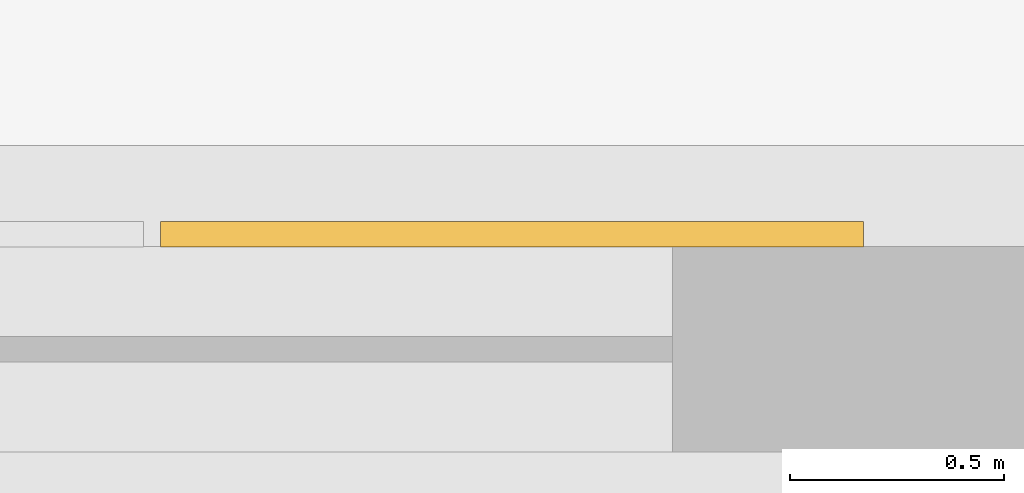
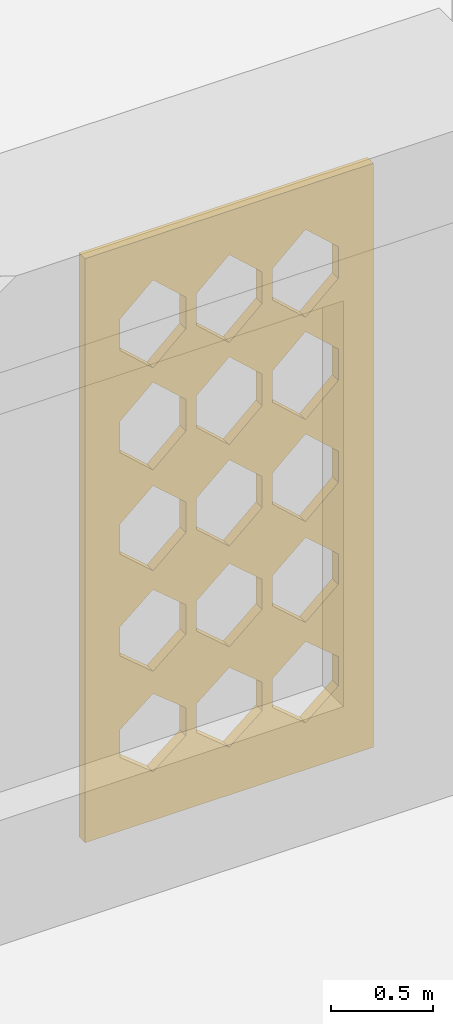
# One storey, part 99 of 100: 1 covering.
"""IFC4 building model written with IfcOpenShell, lengths in metres."""

from ifc_helpers import new_model, si_unit, derived_unit, direction, frame, origin, place, context, subcontext, project, spatial, polyline, outline, extrude, material, layer, layer_set, type_object, element, save


model = new_model("IFC4")

# Units and contexts
model_context = context("Model", 3, precision=1e-05, world=origin(), true_north=direction((0.0, 1.0)))
body_context = subcontext(model_context, "Body", "Model", "MODEL_VIEW")
ifc_project = project(units=[si_unit("LENGTHUNIT", "METRE"), si_unit("AREAUNIT", "SQUARE_METRE"), si_unit("VOLUMEUNIT", "CUBIC_METRE"), si_unit("PLANEANGLEUNIT", "RADIAN"), si_unit("MASSUNIT", "GRAM", prefix="KILO"), derived_unit("THERMALTRANSMITTANCEUNIT", [(si_unit("POWERUNIT", "WATT"), 1), (si_unit("LENGTHUNIT", "METRE"), -2), (si_unit("THERMODYNAMICTEMPERATUREUNIT", "KELVIN"), -1)])], contexts=[model_context])

# Site, building, storey
site_placement = place(None, origin())
site = spatial("IfcSite", under=ifc_project, at=site_placement, CompositionType="ELEMENT")
building_placement = place(site_placement, origin())
building = spatial("IfcBuilding", under=site, at=building_placement, Name="Veybourne Emporium", CompositionType="ELEMENT")
storey_placement = place(building_placement, frame((0.0, 0.0, 14.39990234375)))
storey = spatial("IfcBuildingStorey", under=building, at=storey_placement, Name="L03", CompositionType="ELEMENT", Elevation=14.39990234375)

# Covering
ifc_material = material(Name="Warm-White Perforated Aluminium Screen Alloy", Category="aluminium")
ifc_layer = layer(ifc_material, 0.06005859375)
ifc_layer_set = layer_set([ifc_layer], Name="Warm-White Perforated Aluminium Screen Alloy")
covering_type = type_object("IfcCoveringType", Name="WaveScreen_SCR-02", PredefinedType="CLADDING", material=ifc_layer_set)
covering_placement = place(storey_placement, frame((132.719970703125, 21.89794921875, 1.815185546875), z_axis=(0.0, -1.0, 0.0), x_axis=(1.0, 0.0, 0.0)))
element("IfcCovering", 1, at=covering_placement, inside=storey, type_object=covering_type, Name="L03 wave-perforated aluminium screen SCR-02 (70.4)", PredefinedType="CLADDING", context=body_context, shape_type="SweptSolid", body=[
    extrude(outline(polyline([(-0.81982421875, -1.7548828125), (0.81982421875, -1.7548828125), (0.81982421875, 1.7548828125), (-0.81982421875, 1.7548828125), (-0.81982421875, -1.7548828125)]), holes=[polyline([(-0.433349609375, -0.993896484375), (-0.2470703125, -1.143798828125), (-0.2470703125, -1.312255859375), (-0.433349609375, -1.462158203125), (-0.61962890625, -1.312255859375), (-0.61962890625, -1.143798828125), (-0.433349609375, -0.993896484375)]), polyline([(-0.433349609375, -0.368408203125), (-0.2470703125, -0.525634765625), (-0.2470703125, -0.702392578125), (-0.433349609375, -0.859619140625), (-0.61962890625, -0.702392578125), (-0.61962890625, -0.525634765625), (-0.433349609375, -0.368408203125)]), polyline([(-0.433349609375, 0.255615234375), (-0.2470703125, 0.092041015625), (-0.2470703125, -0.092041015625), (-0.433349609375, -0.255615234375), (-0.61962890625, -0.092041015625), (-0.61962890625, 0.092041015625), (-0.433349609375, 0.255615234375)]), polyline([(-0.433349609375, 0.877685546875), (-0.2470703125, 0.708984375), (-0.2470703125, 0.51904296875), (-0.433349609375, 0.35009765625), (-0.61962890625, 0.51904296875), (-0.61962890625, 0.708984375), (-0.433349609375, 0.877685546875)]), polyline([(-0.433349609375, 1.491943359375), (-0.2470703125, 1.322998046875), (-0.2470703125, 1.133056640625), (-0.433349609375, 0.964111328125), (-0.61962890625, 1.133056640625), (-0.61962890625, 1.322998046875), (-0.433349609375, 1.491943359375)]), polyline([(0.0, -0.988525390625), (0.186279296875, -1.141845703125), (0.186279296875, -1.314208984375), (0.0, -1.467529296875), (-0.186279296875, -1.314208984375), (-0.186279296875, -1.141845703125), (0.0, -0.988525390625)]), polyline([(0.0, -0.363525390625), (0.186279296875, -0.52392578125), (0.186279296875, -0.7041015625), (0.0, -0.864501953125), (-0.186279296875, -0.7041015625), (-0.186279296875, -0.52392578125), (0.0, -0.363525390625)]), polyline([(0.0, 0.259521484375), (0.186279296875, 0.093505859375), (0.186279296875, -0.093505859375), (0.0, -0.259521484375), (-0.186279296875, -0.093505859375), (-0.186279296875, 0.093505859375), (0.0, 0.259521484375)]), polyline([(0.0, 0.8779296875), (0.186279296875, 0.708984375), (0.186279296875, 0.51904296875), (0.0, 0.35009765625), (-0.186279296875, 0.51904296875), (-0.186279296875, 0.708984375), (0.0, 0.8779296875)]), polyline([(0.0, 1.491943359375), (0.186279296875, 1.322998046875), (0.186279296875, 1.133056640625), (0.0, 0.964111328125), (-0.186279296875, 1.133056640625), (-0.186279296875, 1.322998046875), (0.0, 1.491943359375)]), polyline([(0.433349609375, -0.9833984375), (0.61962890625, -1.139892578125), (0.61962890625, -1.316162109375), (0.433349609375, -1.47265625), (0.2470703125, -1.316162109375), (0.2470703125, -1.139892578125), (0.433349609375, -0.9833984375)]), polyline([(0.433349609375, -0.359130859375), (0.61962890625, -0.522216796875), (0.61962890625, -0.705810546875), (0.433349609375, -0.868896484375), (0.2470703125, -0.705810546875), (0.2470703125, -0.522216796875), (0.433349609375, -0.359130859375)]), polyline([(0.433349609375, 0.26318359375), (0.61962890625, 0.0947265625), (0.61962890625, -0.0947265625), (0.433349609375, -0.26318359375), (0.2470703125, -0.0947265625), (0.2470703125, 0.0947265625), (0.433349609375, 0.26318359375)]), polyline([(0.433349609375, 0.8779296875), (0.61962890625, 0.708984375), (0.61962890625, 0.51904296875), (0.433349609375, 0.35009765625), (0.2470703125, 0.51904296875), (0.2470703125, 0.708984375), (0.433349609375, 0.8779296875)]), polyline([(0.433349609375, 1.491943359375), (0.61962890625, 1.322998046875), (0.61962890625, 1.133056640625), (0.433349609375, 0.964111328125), (0.2470703125, 1.133056640625), (0.2470703125, 1.322998046875), (0.433349609375, 1.491943359375)])]), origin(), (0.0, 0.0, 1.0), 0.06005859375),
])

save(model, "model.ifc")
